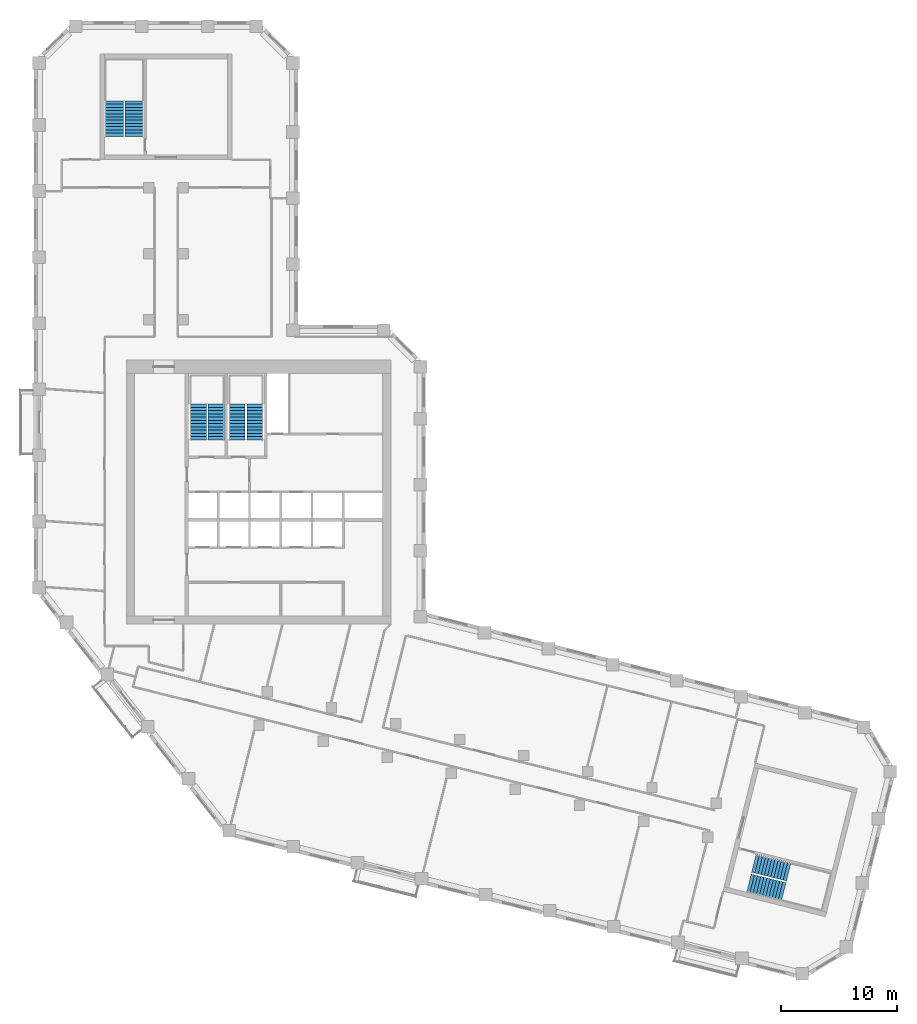
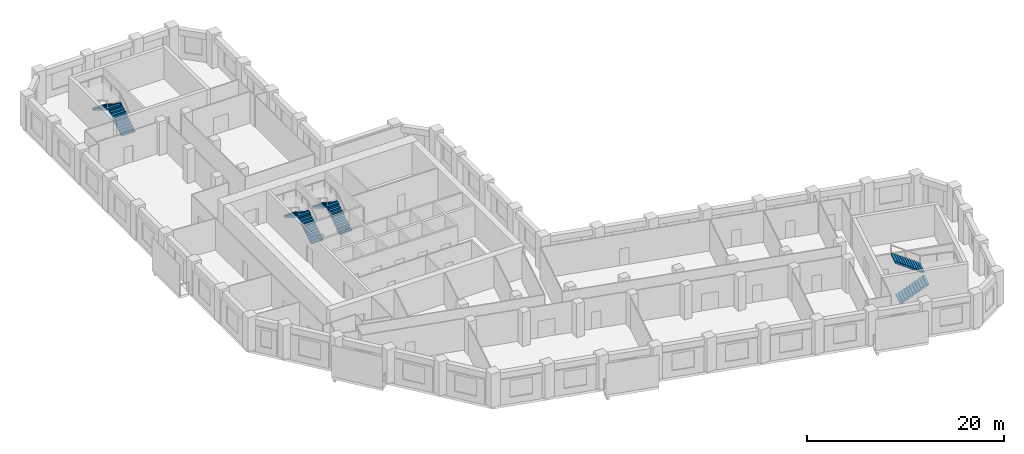
# One storey, part 9 of 10: 8 stair flights, 4 elements without a shape of their own.
"""IFC4 building model written with IfcOpenShell, lengths in metres."""

from ifc_helpers import new_model, si_unit, direction, frame, origin, place, context, subcontext, project, spatial, polyline, outline, extrude, material, type_object, element, aggregate, save


model = new_model("IFC4")

# Units and contexts
model_context = context("Model", 3, precision=1e-05, world=origin(), true_north=direction((0.0, 1.0)))
body_context = subcontext(model_context, "Body", "Model", "MODEL_VIEW")
ifc_project = project(units=[si_unit("LENGTHUNIT", "METRE"), si_unit("AREAUNIT", "SQUARE_METRE"), si_unit("VOLUMEUNIT", "CUBIC_METRE"), si_unit("PLANEANGLEUNIT", "RADIAN"), si_unit("MASSUNIT", "GRAM", prefix="KILO")], contexts=[model_context])

# Site, building, storey
site_placement = place(None, origin())
site = spatial("IfcSite", under=ifc_project, at=site_placement, CompositionType="ELEMENT")
building_placement = place(site_placement, origin())
building = spatial("IfcBuilding", under=site, at=building_placement, Name="Meshkara Civic Tower", CompositionType="ELEMENT")
storey_placement = place(building_placement, frame((0.0, 0.0, 263.39990234375)))
storey = spatial("IfcBuildingStorey", under=building, at=storey_placement, Name="L60", CompositionType="ELEMENT", Elevation=263.39990234375)

# Stair, stair flights
ifc_material_1 = material(Name="Precast concrete C40/50", Category="concrete")
stair_type_1 = type_object("IfcStairType", Name="Exit stair half-turn 24 risers 1600 precast", PredefinedType="HALF_TURN_STAIR", material=ifc_material_1)
stair_1_placement = place(storey_placement, origin())
stair_1 = element("IfcStair", 1, at=stair_1_placement, inside=storey, type_object=stair_type_1, Name="L60 exit stair A from L50", PredefinedType="HALF_TURN_STAIR")
ifc_material_2 = material(Name="Precast concrete C40/50", Category="concrete")
stair_flight_type_1 = type_object("IfcStairFlightType", Name="Exit stair flight 12 risers 1600 precast", PredefinedType="STRAIGHT", material=ifc_material_2)
stair_flight_1_placement = place(storey_placement, frame((8.675048828125, 56.169921875, 0.0), z_axis=(0.0, 0.0, 1.0), x_axis=(0.0, 1.0, 0.0)))
stair_flight_1 = element("IfcStairFlight", 2, at=stair_flight_1_placement, type_object=stair_flight_type_1, Name="ESA4 flight 1", NumberOfRisers=12, NumberOfTreads=11, PredefinedType="STRAIGHT", RiserHeight=0.175, TreadLength=0.28, context=body_context, shape_type="SweptSolid", body=[
    extrude(outline(polyline([(0.0, 0.0), (0.0, 0.175048828125), (0.280029296875, 0.175048828125), (0.280029296875, 0.35009765625), (0.56005859375, 0.35009765625), (0.56005859375, 0.52490234375), (0.840087890625, 0.52490234375), (0.840087890625, 0.699951171875), (1.1201171875, 0.699951171875), (1.1201171875, 0.875), (1.39990234375, 0.875), (1.39990234375, 1.050048828125), (1.679931640625, 1.050048828125), (1.679931640625, 1.22509765625), (1.9599609375, 1.22509765625), (1.9599609375, 1.39990234375), (2.239990234375, 1.39990234375), (2.239990234375, 1.574951171875), (2.52001953125, 1.574951171875), (2.52001953125, 1.75), (2.800048828125, 1.75), (2.800048828125, 1.925048828125), (3.080078125, 1.925048828125), (3.080078125, 2.10009765625), (3.080078125, 1.748291015625), (0.28271484375, 0.0), (0.0, 0.0)])), frame((0.0, 0.800048828125, 0.0), z_axis=(0.0, -1.0, 0.0), x_axis=(1.0, 0.0, 0.0)), (0.0, 0.0, 1.0), 1.60009765625),
])
stair_flight_2_placement = place(storey_placement, frame((6.925048828125, 59.25, 2.10009765625), z_axis=(0.0, 0.0, 1.0), x_axis=(0.0, -1.0, 0.0)))
stair_flight_2 = element("IfcStairFlight", 3, at=stair_flight_2_placement, type_object=stair_flight_type_1, Name="ESA4 flight 2", NumberOfRisers=12, NumberOfTreads=11, PredefinedType="STRAIGHT", RiserHeight=0.175, TreadLength=0.28, context=body_context, shape_type="SweptSolid", body=[
    extrude(outline(polyline([(0.0, 0.0), (0.0, 0.175048828125), (0.280029296875, 0.175048828125), (0.280029296875, 0.35009765625), (0.56005859375, 0.35009765625), (0.56005859375, 0.52490234375), (0.840087890625, 0.52490234375), (0.840087890625, 0.699951171875), (1.1201171875, 0.699951171875), (1.1201171875, 0.875), (1.39990234375, 0.875), (1.39990234375, 1.050048828125), (1.679931640625, 1.050048828125), (1.679931640625, 1.22509765625), (1.9599609375, 1.22509765625), (1.9599609375, 1.39990234375), (2.239990234375, 1.39990234375), (2.239990234375, 1.574951171875), (2.52001953125, 1.574951171875), (2.52001953125, 1.75), (2.800048828125, 1.75), (2.800048828125, 1.925048828125), (3.080078125, 1.925048828125), (3.080078125, 2.10009765625), (3.080078125, 1.748291015625), (0.28271484375, 0.0), (0.0, 0.0)])), frame((0.0, 0.800048828125, 0.0), z_axis=(0.0, -1.0, 0.0), x_axis=(1.0, 0.0, 0.0)), (0.0, 0.0, 1.0), 1.60009765625),
])
aggregate(stair_1, [stair_flight_1, stair_flight_2])

stair_2_placement = place(storey_placement, origin())
stair_2 = element("IfcStair", 4, at=stair_2_placement, inside=storey, type_object=stair_type_1, Name="L60 exit stair B from L50", PredefinedType="HALF_TURN_STAIR")
stair_flight_3_placement = place(storey_placement, frame((61.70751953125, -8.248291015625, 0.0), z_axis=(0.0, 0.0, 1.0), x_axis=(0.970260066579, -0.242064873955, 0.0)))
stair_flight_3 = element("IfcStairFlight", 5, at=stair_flight_3_placement, type_object=stair_flight_type_1, Name="ESB4 flight 1", NumberOfRisers=12, NumberOfTreads=11, PredefinedType="STRAIGHT", RiserHeight=0.175, TreadLength=0.28, context=body_context, shape_type="SweptSolid", body=[
    extrude(outline(polyline([(0.0, 0.0), (0.0, 0.175048828125), (0.280029296875, 0.175048828125), (0.280029296875, 0.35009765625), (0.56005859375, 0.35009765625), (0.56005859375, 0.52490234375), (0.840087890625, 0.52490234375), (0.840087890625, 0.699951171875), (1.1201171875, 0.699951171875), (1.1201171875, 0.875), (1.39990234375, 0.875), (1.39990234375, 1.050048828125), (1.679931640625, 1.050048828125), (1.679931640625, 1.22509765625), (1.9599609375, 1.22509765625), (1.9599609375, 1.39990234375), (2.239990234375, 1.39990234375), (2.239990234375, 1.574951171875), (2.52001953125, 1.574951171875), (2.52001953125, 1.75), (2.800048828125, 1.75), (2.800048828125, 1.925048828125), (3.080078125, 1.925048828125), (3.080078125, 2.10009765625), (3.080078125, 1.748291015625), (0.28271484375, 0.0), (0.0, 0.0)])), frame((0.0, 0.800048828125, 0.0), z_axis=(0.0, -1.0, 0.0), x_axis=(1.0, 0.0, 0.0)), (0.0, 0.0, 1.0), 1.60009765625),
])
stair_flight_4_placement = place(storey_placement, frame((65.11962890625, -7.2958984375, 2.10009765625), z_axis=(0.0, 0.0, 1.0), x_axis=(-0.970260066579, 0.242064873955, 0.0)))
stair_flight_4 = element("IfcStairFlight", 6, at=stair_flight_4_placement, type_object=stair_flight_type_1, Name="ESB4 flight 2", NumberOfRisers=12, NumberOfTreads=11, PredefinedType="STRAIGHT", RiserHeight=0.175, TreadLength=0.28, context=body_context, shape_type="SweptSolid", body=[
    extrude(outline(polyline([(0.0, 0.0), (0.0, 0.175048828125), (0.280029296875, 0.175048828125), (0.280029296875, 0.35009765625), (0.56005859375, 0.35009765625), (0.56005859375, 0.52490234375), (0.840087890625, 0.52490234375), (0.840087890625, 0.699951171875), (1.1201171875, 0.699951171875), (1.1201171875, 0.875), (1.39990234375, 0.875), (1.39990234375, 1.050048828125), (1.679931640625, 1.050048828125), (1.679931640625, 1.22509765625), (1.9599609375, 1.22509765625), (1.9599609375, 1.39990234375), (2.239990234375, 1.39990234375), (2.239990234375, 1.574951171875), (2.52001953125, 1.574951171875), (2.52001953125, 1.75), (2.800048828125, 1.75), (2.800048828125, 1.925048828125), (3.080078125, 1.925048828125), (3.080078125, 2.10009765625), (3.080078125, 1.748291015625), (0.28271484375, 0.0), (0.0, 0.0)])), frame((0.0, 0.800048828125, 0.0), z_axis=(0.0, -1.0, 0.0), x_axis=(1.0, 0.0, 0.0)), (0.0, 0.0, 1.0), 1.60009765625),
])
aggregate(stair_2, [stair_flight_3, stair_flight_4])

ifc_material_3 = material(Name="Precast concrete C40/50", Category="concrete")
stair_type_2 = type_object("IfcStairType", Name="Exit stair half-turn 24 risers precast", PredefinedType="HALF_TURN_STAIR", material=ifc_material_3)
stair_3_placement = place(storey_placement, origin())
stair_3 = element("IfcStair", 7, at=stair_3_placement, inside=storey, type_object=stair_type_2, Name="L60 exit stair 1", PredefinedType="HALF_TURN_STAIR")
ifc_material_4 = material(Name="Precast concrete C40/50", Category="concrete")
stair_flight_type_2 = type_object("IfcStairFlightType", Name="Exit stair flight 12 risers precast", PredefinedType="STRAIGHT", material=ifc_material_4)
stair_flight_5_placement = place(storey_placement, frame((15.72509765625, 30.0, 0.0), z_axis=(0.0, 0.0, 1.0), x_axis=(0.0, 1.0, 0.0)))
stair_flight_5 = element("IfcStairFlight", 8, at=stair_flight_5_placement, type_object=stair_flight_type_2, Name="ST1 flight 1", NumberOfRisers=12, NumberOfTreads=11, PredefinedType="STRAIGHT", RiserHeight=0.175, TreadLength=0.28, context=body_context, shape_type="SweptSolid", body=[
    extrude(outline(polyline([(0.0, 0.0), (0.0, 0.175048828125), (0.280029296875, 0.175048828125), (0.280029296875, 0.35009765625), (0.56005859375, 0.35009765625), (0.56005859375, 0.52490234375), (0.840087890625, 0.52490234375), (0.840087890625, 0.699951171875), (1.1201171875, 0.699951171875), (1.1201171875, 0.875), (1.39990234375, 0.875), (1.39990234375, 1.050048828125), (1.679931640625, 1.050048828125), (1.679931640625, 1.22509765625), (1.9599609375, 1.22509765625), (1.9599609375, 1.39990234375), (2.239990234375, 1.39990234375), (2.239990234375, 1.574951171875), (2.52001953125, 1.574951171875), (2.52001953125, 1.75), (2.800048828125, 1.75), (2.800048828125, 1.925048828125), (3.080078125, 1.925048828125), (3.080078125, 2.10009765625), (3.080078125, 1.748291015625), (0.28271484375, 0.0), (0.0, 0.0)])), frame((0.0, 0.699951171875, 0.0), z_axis=(0.0, -1.0, 0.0), x_axis=(1.0, 0.0, 0.0)), (0.0, 0.0, 1.0), 1.39990234375),
])
stair_flight_6_placement = place(storey_placement, frame((14.175048828125, 33.080078125, 2.10009765625), z_axis=(0.0, 0.0, 1.0), x_axis=(0.0, -1.0, 0.0)))
stair_flight_6 = element("IfcStairFlight", 9, at=stair_flight_6_placement, type_object=stair_flight_type_2, Name="ST1 flight 2", NumberOfRisers=12, NumberOfTreads=11, PredefinedType="STRAIGHT", RiserHeight=0.175, TreadLength=0.28, context=body_context, shape_type="SweptSolid", body=[
    extrude(outline(polyline([(0.0, 0.0), (0.0, 0.175048828125), (0.280029296875, 0.175048828125), (0.280029296875, 0.35009765625), (0.56005859375, 0.35009765625), (0.56005859375, 0.52490234375), (0.840087890625, 0.52490234375), (0.840087890625, 0.699951171875), (1.1201171875, 0.699951171875), (1.1201171875, 0.875), (1.39990234375, 0.875), (1.39990234375, 1.050048828125), (1.679931640625, 1.050048828125), (1.679931640625, 1.22509765625), (1.9599609375, 1.22509765625), (1.9599609375, 1.39990234375), (2.239990234375, 1.39990234375), (2.239990234375, 1.574951171875), (2.52001953125, 1.574951171875), (2.52001953125, 1.75), (2.800048828125, 1.75), (2.800048828125, 1.925048828125), (3.080078125, 1.925048828125), (3.080078125, 2.10009765625), (3.080078125, 1.748291015625), (0.28271484375, 0.0), (0.0, 0.0)])), frame((0.0, 0.699951171875, 0.0), z_axis=(0.0, -1.0, 0.0), x_axis=(1.0, 0.0, 0.0)), (0.0, 0.0, 1.0), 1.39990234375),
])
aggregate(stair_3, [stair_flight_5, stair_flight_6])

stair_4_placement = place(storey_placement, origin())
stair_4 = element("IfcStair", 10, at=stair_4_placement, inside=storey, type_object=stair_type_2, Name="L60 exit stair 2", PredefinedType="HALF_TURN_STAIR")
stair_flight_7_placement = place(storey_placement, frame((19.074951171875, 30.0, 0.0), z_axis=(0.0, 0.0, 1.0), x_axis=(0.0, 1.0, 0.0)))
stair_flight_7 = element("IfcStairFlight", 11, at=stair_flight_7_placement, type_object=stair_flight_type_2, Name="ST2 flight 1", NumberOfRisers=12, NumberOfTreads=11, PredefinedType="STRAIGHT", RiserHeight=0.175, TreadLength=0.28, context=body_context, shape_type="SweptSolid", body=[
    extrude(outline(polyline([(0.0, 0.0), (0.0, 0.175048828125), (0.280029296875, 0.175048828125), (0.280029296875, 0.35009765625), (0.56005859375, 0.35009765625), (0.56005859375, 0.52490234375), (0.840087890625, 0.52490234375), (0.840087890625, 0.699951171875), (1.1201171875, 0.699951171875), (1.1201171875, 0.875), (1.39990234375, 0.875), (1.39990234375, 1.050048828125), (1.679931640625, 1.050048828125), (1.679931640625, 1.22509765625), (1.9599609375, 1.22509765625), (1.9599609375, 1.39990234375), (2.239990234375, 1.39990234375), (2.239990234375, 1.574951171875), (2.52001953125, 1.574951171875), (2.52001953125, 1.75), (2.800048828125, 1.75), (2.800048828125, 1.925048828125), (3.080078125, 1.925048828125), (3.080078125, 2.10009765625), (3.080078125, 1.748291015625), (0.28271484375, 0.0), (0.0, 0.0)])), frame((0.0, 0.699951171875, 0.0), z_axis=(0.0, -1.0, 0.0), x_axis=(1.0, 0.0, 0.0)), (0.0, 0.0, 1.0), 1.39990234375),
])
stair_flight_8_placement = place(storey_placement, frame((17.52490234375, 33.080078125, 2.10009765625), z_axis=(0.0, 0.0, 1.0), x_axis=(0.0, -1.0, 0.0)))
stair_flight_8 = element("IfcStairFlight", 12, at=stair_flight_8_placement, type_object=stair_flight_type_2, Name="ST2 flight 2", NumberOfRisers=12, NumberOfTreads=11, PredefinedType="STRAIGHT", RiserHeight=0.175, TreadLength=0.28, context=body_context, shape_type="SweptSolid", body=[
    extrude(outline(polyline([(0.0, 0.0), (0.0, 0.175048828125), (0.280029296875, 0.175048828125), (0.280029296875, 0.35009765625), (0.56005859375, 0.35009765625), (0.56005859375, 0.52490234375), (0.840087890625, 0.52490234375), (0.840087890625, 0.699951171875), (1.1201171875, 0.699951171875), (1.1201171875, 0.875), (1.39990234375, 0.875), (1.39990234375, 1.050048828125), (1.679931640625, 1.050048828125), (1.679931640625, 1.22509765625), (1.9599609375, 1.22509765625), (1.9599609375, 1.39990234375), (2.239990234375, 1.39990234375), (2.239990234375, 1.574951171875), (2.52001953125, 1.574951171875), (2.52001953125, 1.75), (2.800048828125, 1.75), (2.800048828125, 1.925048828125), (3.080078125, 1.925048828125), (3.080078125, 2.10009765625), (3.080078125, 1.748291015625), (0.28271484375, 0.0), (0.0, 0.0)])), frame((0.0, 0.699951171875, 0.0), z_axis=(0.0, -1.0, 0.0), x_axis=(1.0, 0.0, 0.0)), (0.0, 0.0, 1.0), 1.39990234375),
])
aggregate(stair_4, [stair_flight_7, stair_flight_8])

save(model, "model.ifc")
